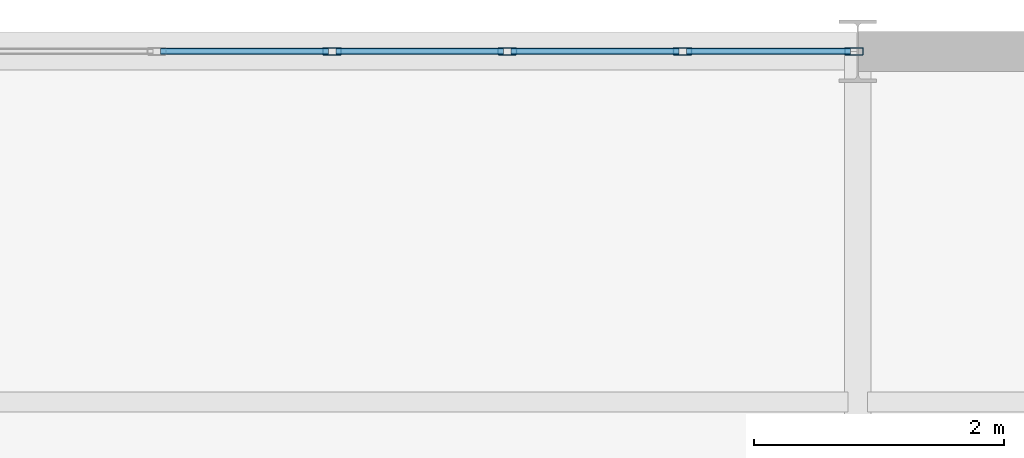
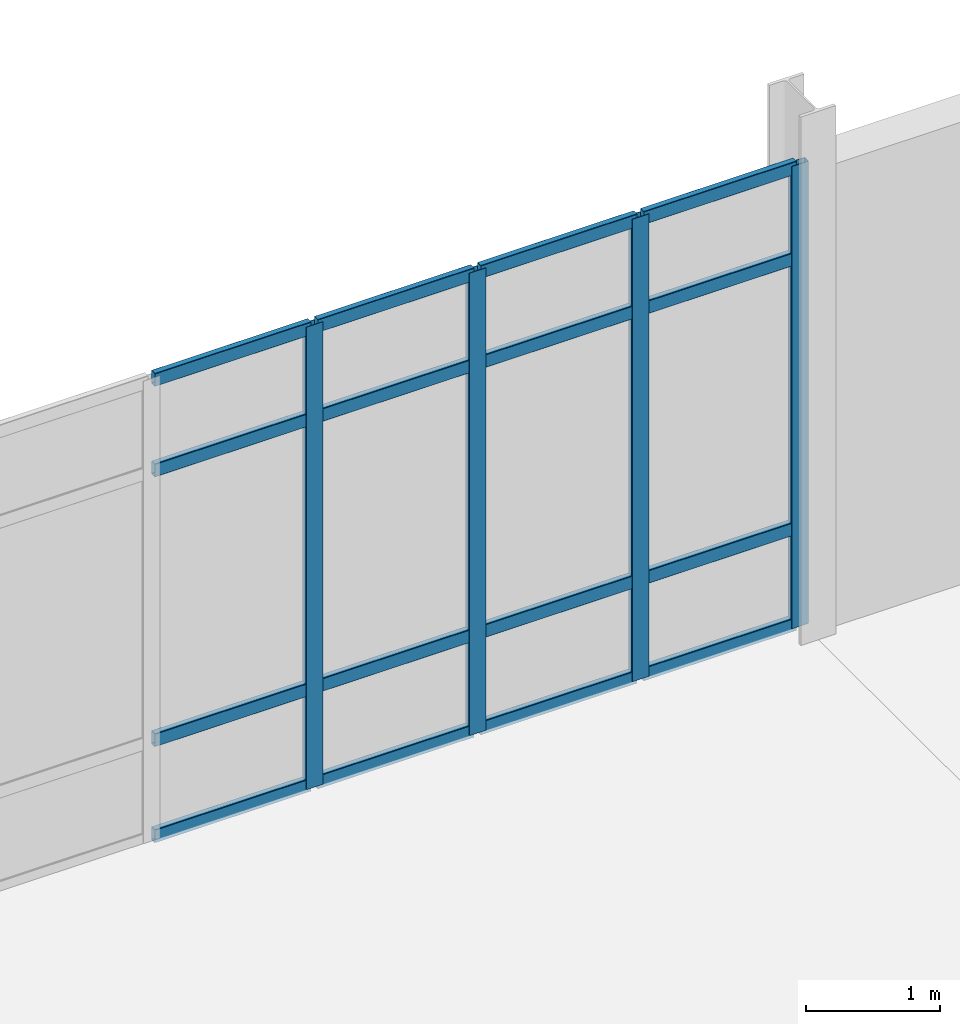
# One storey, part 89 of 145: 20 members, 1 element without a shape of its own.
"""IFC4 building model written with IfcOpenShell, lengths in metres."""

from ifc_helpers import new_model, si_unit, direction, frame, origin, origin_2d, place, context, subcontext, project, spatial, hollow_rectangle, extrude, material, layer, layer_set, material_profile, profile_set, type_object, element, aggregate, save


model = new_model("IFC4")

# Units and contexts
model_context = context("Model", 3, precision=1e-05, world=origin(), true_north=direction((0.0, 1.0)))
body_context = subcontext(model_context, "Body", "Model", "MODEL_VIEW")
ifc_project = project(units=[si_unit("LENGTHUNIT", "METRE"), si_unit("AREAUNIT", "SQUARE_METRE"), si_unit("VOLUMEUNIT", "CUBIC_METRE"), si_unit("PLANEANGLEUNIT", "RADIAN"), si_unit("MASSUNIT", "GRAM", prefix="KILO")], contexts=[model_context])

# Site, building, storey
site_placement = place(None, origin())
site = spatial("IfcSite", under=ifc_project, at=site_placement, CompositionType="ELEMENT")
building_placement = place(site_placement, origin())
building = spatial("IfcBuilding", under=site, at=building_placement, Name="Qalvenar Corner Mobility Hub", CompositionType="ELEMENT")
storey_placement = place(building_placement, origin())
storey = spatial("IfcBuildingStorey", under=building, at=storey_placement, Name="L00", CompositionType="ELEMENT", Elevation=0.0)

# Curtain wall, members
ifc_material_1 = material(Name="Anodised Aluminium and Low-E Glazing", Category="aluminium")
ifc_layer = layer(ifc_material_1, 0.14990234375)
ifc_layer_set = layer_set([ifc_layer], Name="Anodised Aluminium and Low-E Glazing")
curtain_wall_type = type_object("IfcCurtainWallType", Name="CW-MOB-84X46", PredefinedType="NOTDEFINED", material=ifc_layer_set)
curtain_wall_placement = place(storey_placement, origin())
curtain_wall = element("IfcCurtainWall", 1, at=curtain_wall_placement, inside=storey, type_object=curtain_wall_type, Name="Glazed Curtain Wall CW-V4-L00-N4", PredefinedType="NOTDEFINED")
ifc_material_2 = material(Name="Anodised Aluminium 6063-T6", Category="aluminium")
ifc_material_profile_1 = material_profile(ifc_material_2, hollow_rectangle(XDim=0.06005859375, YDim=0.14990234375, WallThickness=0.00390625, InnerFilletRadius=0.00390625, OuterFilletRadius=0.008056640625, at=origin_2d()), Name="RHS150x60x4")
ifc_profile_set_1 = profile_set([ifc_material_profile_1], Name="Anodised Aluminium 6063-T6")
member_type_1 = type_object("IfcMemberType", Name="CW-MUL150", PredefinedType="MULLION", material=ifc_profile_set_1)
member_1_placement = place(storey_placement, frame((100.77001953125, 117.60009765625, 0.0), z_axis=(0.0, 0.0, 1.0), x_axis=(0.0, -1.0, 0.0)))
member_1 = element("IfcMember", 2, at=member_1_placement, type_object=member_type_1, Name="CW-03 mullion 1", PredefinedType="MULLION", context=body_context, shape_type="SweptSolid", body=[
    extrude(hollow_rectangle(XDim=0.06005859375, YDim=0.14990234375, WallThickness=0.00390625, InnerFilletRadius=0.00390625, OuterFilletRadius=0.008056640625, at=origin_2d()), origin(), (0.0, 0.0, 1.0), 4.199951171875),
])
member_2_placement = place(storey_placement, frame((99.39990234375, 117.60009765625, 0.0), z_axis=(0.0, 0.0, 1.0), x_axis=(0.0, -1.0, 0.0)))
member_2 = element("IfcMember", 3, at=member_2_placement, type_object=member_type_1, Name="CW-03 mullion 2", PredefinedType="MULLION", context=body_context, shape_type="SweptSolid", body=[
    extrude(hollow_rectangle(XDim=0.06005859375, YDim=0.14990234375, WallThickness=0.00390625, InnerFilletRadius=0.00390625, OuterFilletRadius=0.008056640625, at=origin_2d()), origin(), (0.0, 0.0, 1.0), 4.199951171875),
])
member_3_placement = place(storey_placement, frame((98.0, 117.60009765625, 0.0), z_axis=(0.0, 0.0, 1.0), x_axis=(0.0, -1.0, 0.0)))
member_3 = element("IfcMember", 4, at=member_3_placement, type_object=member_type_1, Name="CW-03 mullion 3", PredefinedType="MULLION", context=body_context, shape_type="SweptSolid", body=[
    extrude(hollow_rectangle(XDim=0.06005859375, YDim=0.14990234375, WallThickness=0.00390625, InnerFilletRadius=0.00390625, OuterFilletRadius=0.008056640625, at=origin_2d()), origin(), (0.0, 0.0, 1.0), 4.199951171875),
])
member_4_placement = place(storey_placement, frame((96.60009765625, 117.60009765625, 0.0), z_axis=(0.0, 0.0, 1.0), x_axis=(0.0, -1.0, 0.0)))
member_4 = element("IfcMember", 5, at=member_4_placement, type_object=member_type_1, Name="CW-03 mullion 4", PredefinedType="MULLION", context=body_context, shape_type="SweptSolid", body=[
    extrude(hollow_rectangle(XDim=0.06005859375, YDim=0.14990234375, WallThickness=0.00390625, InnerFilletRadius=0.00390625, OuterFilletRadius=0.008056640625, at=origin_2d()), origin(), (0.0, 0.0, 1.0), 4.199951171875),
])
ifc_material_profile_2 = material_profile(ifc_material_2, hollow_rectangle(XDim=0.054931640625, YDim=0.1201171875, WallThickness=0.00341796875, InnerFilletRadius=0.00341796875, OuterFilletRadius=0.007080078125, at=origin_2d()), Name="RHS120x55x3.5")
ifc_profile_set_2 = profile_set([ifc_material_profile_2], Name="Anodised Aluminium 6063-T6")
member_type_2 = type_object("IfcMemberType", Name="CW-TRN120", PredefinedType="USERDEFINED", material=ifc_profile_set_2)
member_5_placement = place(storey_placement, frame((100.739990234375, 117.60009765625, 0.027587890625), z_axis=(-1.0, 0.0, 0.0), x_axis=(0.0, -1.0, 0.0)))
member_5 = element("IfcMember", 6, at=member_5_placement, type_object=member_type_2, Name="CW-03 transom 1.1", ObjectType="TRANSOM", PredefinedType="USERDEFINED", context=body_context, shape_type="SweptSolid", body=[
    extrude(hollow_rectangle(XDim=0.054931640625, YDim=0.1201171875, WallThickness=0.00341796875, InnerFilletRadius=0.00341796875, OuterFilletRadius=0.007080078125, at=origin_2d()), origin(), (0.0, 0.0, 1.0), 1.31005859375),
])
member_6_placement = place(storey_placement, frame((100.739990234375, 117.60009765625, 0.89990234375), z_axis=(-1.0, 0.0, 0.0), x_axis=(0.0, -1.0, 0.0)))
member_6 = element("IfcMember", 7, at=member_6_placement, type_object=member_type_2, Name="CW-03 transom 1.2", ObjectType="TRANSOM", PredefinedType="USERDEFINED", context=body_context, shape_type="SweptSolid", body=[
    extrude(hollow_rectangle(XDim=0.054931640625, YDim=0.1201171875, WallThickness=0.00341796875, InnerFilletRadius=0.00341796875, OuterFilletRadius=0.007080078125, at=origin_2d()), origin(), (0.0, 0.0, 1.0), 1.31005859375),
])
member_7_placement = place(storey_placement, frame((100.739990234375, 117.60009765625, 3.35009765625), z_axis=(-1.0, 0.0, 0.0), x_axis=(0.0, -1.0, 0.0)))
member_7 = element("IfcMember", 8, at=member_7_placement, type_object=member_type_2, Name="CW-03 transom 1.3", ObjectType="TRANSOM", PredefinedType="USERDEFINED", context=body_context, shape_type="SweptSolid", body=[
    extrude(hollow_rectangle(XDim=0.054931640625, YDim=0.1201171875, WallThickness=0.00341796875, InnerFilletRadius=0.00341796875, OuterFilletRadius=0.007080078125, at=origin_2d()), origin(), (0.0, 0.0, 1.0), 1.31005859375),
])
member_8_placement = place(storey_placement, frame((100.739990234375, 117.60009765625, 4.172607421875), z_axis=(-1.0, 0.0, 0.0), x_axis=(0.0, -1.0, 0.0)))
member_8 = element("IfcMember", 9, at=member_8_placement, type_object=member_type_2, Name="CW-03 transom 1.4", ObjectType="TRANSOM", PredefinedType="USERDEFINED", context=body_context, shape_type="SweptSolid", body=[
    extrude(hollow_rectangle(XDim=0.054931640625, YDim=0.1201171875, WallThickness=0.00341796875, InnerFilletRadius=0.00341796875, OuterFilletRadius=0.007080078125, at=origin_2d()), origin(), (0.0, 0.0, 1.0), 1.31005859375),
])
member_9_placement = place(storey_placement, frame((99.3701171875, 117.60009765625, 0.027587890625), z_axis=(-1.0, 0.0, 0.0), x_axis=(0.0, -1.0, 0.0)))
member_9 = element("IfcMember", 10, at=member_9_placement, type_object=member_type_2, Name="CW-03 transom 2.1", ObjectType="TRANSOM", PredefinedType="USERDEFINED", context=body_context, shape_type="SweptSolid", body=[
    extrude(hollow_rectangle(XDim=0.054931640625, YDim=0.1201171875, WallThickness=0.00341796875, InnerFilletRadius=0.00341796875, OuterFilletRadius=0.007080078125, at=origin_2d()), origin(), (0.0, 0.0, 1.0), 1.340087890625),
])
member_10_placement = place(storey_placement, frame((99.3701171875, 117.60009765625, 0.89990234375), z_axis=(-1.0, 0.0, 0.0), x_axis=(0.0, -1.0, 0.0)))
member_10 = element("IfcMember", 11, at=member_10_placement, type_object=member_type_2, Name="CW-03 transom 2.2", ObjectType="TRANSOM", PredefinedType="USERDEFINED", context=body_context, shape_type="SweptSolid", body=[
    extrude(hollow_rectangle(XDim=0.054931640625, YDim=0.1201171875, WallThickness=0.00341796875, InnerFilletRadius=0.00341796875, OuterFilletRadius=0.007080078125, at=origin_2d()), origin(), (0.0, 0.0, 1.0), 1.340087890625),
])
member_11_placement = place(storey_placement, frame((99.3701171875, 117.60009765625, 3.35009765625), z_axis=(-1.0, 0.0, 0.0), x_axis=(0.0, -1.0, 0.0)))
member_11 = element("IfcMember", 12, at=member_11_placement, type_object=member_type_2, Name="CW-03 transom 2.3", ObjectType="TRANSOM", PredefinedType="USERDEFINED", context=body_context, shape_type="SweptSolid", body=[
    extrude(hollow_rectangle(XDim=0.054931640625, YDim=0.1201171875, WallThickness=0.00341796875, InnerFilletRadius=0.00341796875, OuterFilletRadius=0.007080078125, at=origin_2d()), origin(), (0.0, 0.0, 1.0), 1.340087890625),
])
member_12_placement = place(storey_placement, frame((99.3701171875, 117.60009765625, 4.172607421875), z_axis=(-1.0, 0.0, 0.0), x_axis=(0.0, -1.0, 0.0)))
member_12 = element("IfcMember", 13, at=member_12_placement, type_object=member_type_2, Name="CW-03 transom 2.4", ObjectType="TRANSOM", PredefinedType="USERDEFINED", context=body_context, shape_type="SweptSolid", body=[
    extrude(hollow_rectangle(XDim=0.054931640625, YDim=0.1201171875, WallThickness=0.00341796875, InnerFilletRadius=0.00341796875, OuterFilletRadius=0.007080078125, at=origin_2d()), origin(), (0.0, 0.0, 1.0), 1.340087890625),
])
member_13_placement = place(storey_placement, frame((97.969970703125, 117.60009765625, 0.027587890625), z_axis=(-1.0, 0.0, 0.0), x_axis=(0.0, -1.0, 0.0)))
member_13 = element("IfcMember", 14, at=member_13_placement, type_object=member_type_2, Name="CW-03 transom 3.1", ObjectType="TRANSOM", PredefinedType="USERDEFINED", context=body_context, shape_type="SweptSolid", body=[
    extrude(hollow_rectangle(XDim=0.054931640625, YDim=0.1201171875, WallThickness=0.00341796875, InnerFilletRadius=0.00341796875, OuterFilletRadius=0.007080078125, at=origin_2d()), origin(), (0.0, 0.0, 1.0), 1.340087890625),
])
member_14_placement = place(storey_placement, frame((97.969970703125, 117.60009765625, 0.89990234375), z_axis=(-1.0, 0.0, 0.0), x_axis=(0.0, -1.0, 0.0)))
member_14 = element("IfcMember", 15, at=member_14_placement, type_object=member_type_2, Name="CW-03 transom 3.2", ObjectType="TRANSOM", PredefinedType="USERDEFINED", context=body_context, shape_type="SweptSolid", body=[
    extrude(hollow_rectangle(XDim=0.054931640625, YDim=0.1201171875, WallThickness=0.00341796875, InnerFilletRadius=0.00341796875, OuterFilletRadius=0.007080078125, at=origin_2d()), origin(), (0.0, 0.0, 1.0), 1.340087890625),
])
member_15_placement = place(storey_placement, frame((97.969970703125, 117.60009765625, 3.35009765625), z_axis=(-1.0, 0.0, 0.0), x_axis=(0.0, -1.0, 0.0)))
member_15 = element("IfcMember", 16, at=member_15_placement, type_object=member_type_2, Name="CW-03 transom 3.3", ObjectType="TRANSOM", PredefinedType="USERDEFINED", context=body_context, shape_type="SweptSolid", body=[
    extrude(hollow_rectangle(XDim=0.054931640625, YDim=0.1201171875, WallThickness=0.00341796875, InnerFilletRadius=0.00341796875, OuterFilletRadius=0.007080078125, at=origin_2d()), origin(), (0.0, 0.0, 1.0), 1.340087890625),
])
member_16_placement = place(storey_placement, frame((97.969970703125, 117.60009765625, 4.172607421875), z_axis=(-1.0, 0.0, 0.0), x_axis=(0.0, -1.0, 0.0)))
member_16 = element("IfcMember", 17, at=member_16_placement, type_object=member_type_2, Name="CW-03 transom 3.4", ObjectType="TRANSOM", PredefinedType="USERDEFINED", context=body_context, shape_type="SweptSolid", body=[
    extrude(hollow_rectangle(XDim=0.054931640625, YDim=0.1201171875, WallThickness=0.00341796875, InnerFilletRadius=0.00341796875, OuterFilletRadius=0.007080078125, at=origin_2d()), origin(), (0.0, 0.0, 1.0), 1.340087890625),
])
member_17_placement = place(storey_placement, frame((96.570068359375, 117.60009765625, 0.027587890625), z_axis=(-1.0, 0.0, 0.0), x_axis=(0.0, -1.0, 0.0)))
member_17 = element("IfcMember", 18, at=member_17_placement, type_object=member_type_2, Name="CW-03 transom 4.1", ObjectType="TRANSOM", PredefinedType="USERDEFINED", context=body_context, shape_type="SweptSolid", body=[
    extrude(hollow_rectangle(XDim=0.054931640625, YDim=0.1201171875, WallThickness=0.00341796875, InnerFilletRadius=0.00341796875, OuterFilletRadius=0.007080078125, at=origin_2d()), origin(), (0.0, 0.0, 1.0), 1.340087890625),
])
member_18_placement = place(storey_placement, frame((96.570068359375, 117.60009765625, 0.89990234375), z_axis=(-1.0, 0.0, 0.0), x_axis=(0.0, -1.0, 0.0)))
member_18 = element("IfcMember", 19, at=member_18_placement, type_object=member_type_2, Name="CW-03 transom 4.2", ObjectType="TRANSOM", PredefinedType="USERDEFINED", context=body_context, shape_type="SweptSolid", body=[
    extrude(hollow_rectangle(XDim=0.054931640625, YDim=0.1201171875, WallThickness=0.00341796875, InnerFilletRadius=0.00341796875, OuterFilletRadius=0.007080078125, at=origin_2d()), origin(), (0.0, 0.0, 1.0), 1.340087890625),
])
member_19_placement = place(storey_placement, frame((96.570068359375, 117.60009765625, 3.35009765625), z_axis=(-1.0, 0.0, 0.0), x_axis=(0.0, -1.0, 0.0)))
member_19 = element("IfcMember", 20, at=member_19_placement, type_object=member_type_2, Name="CW-03 transom 4.3", ObjectType="TRANSOM", PredefinedType="USERDEFINED", context=body_context, shape_type="SweptSolid", body=[
    extrude(hollow_rectangle(XDim=0.054931640625, YDim=0.1201171875, WallThickness=0.00341796875, InnerFilletRadius=0.00341796875, OuterFilletRadius=0.007080078125, at=origin_2d()), origin(), (0.0, 0.0, 1.0), 1.340087890625),
])
member_20_placement = place(storey_placement, frame((96.570068359375, 117.60009765625, 4.172607421875), z_axis=(-1.0, 0.0, 0.0), x_axis=(0.0, -1.0, 0.0)))
member_20 = element("IfcMember", 21, at=member_20_placement, type_object=member_type_2, Name="CW-03 transom 4.4", ObjectType="TRANSOM", PredefinedType="USERDEFINED", context=body_context, shape_type="SweptSolid", body=[
    extrude(hollow_rectangle(XDim=0.054931640625, YDim=0.1201171875, WallThickness=0.00341796875, InnerFilletRadius=0.00341796875, OuterFilletRadius=0.007080078125, at=origin_2d()), origin(), (0.0, 0.0, 1.0), 1.340087890625),
])
aggregate(curtain_wall, [member_1, member_2, member_3, member_4, member_5, member_6, member_7, member_8, member_9, member_10, member_11, member_12, member_13, member_14, member_15, member_16, member_17, member_18, member_19, member_20])

save(model, "model.ifc")
